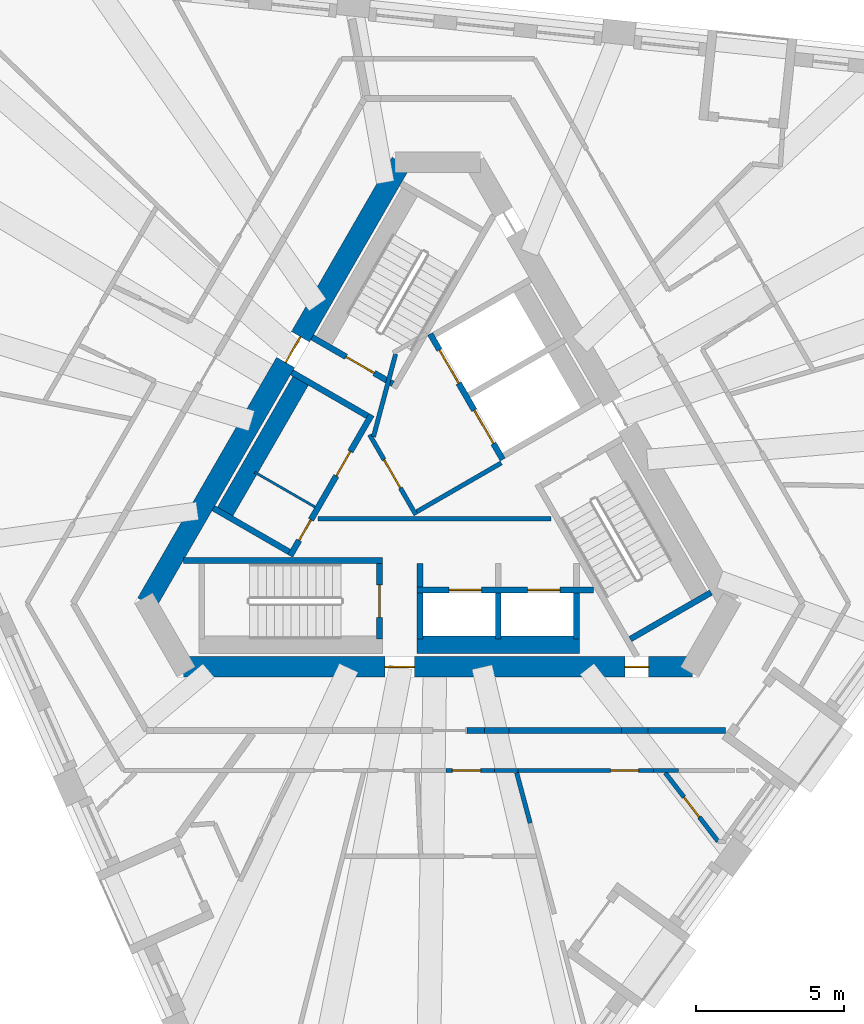
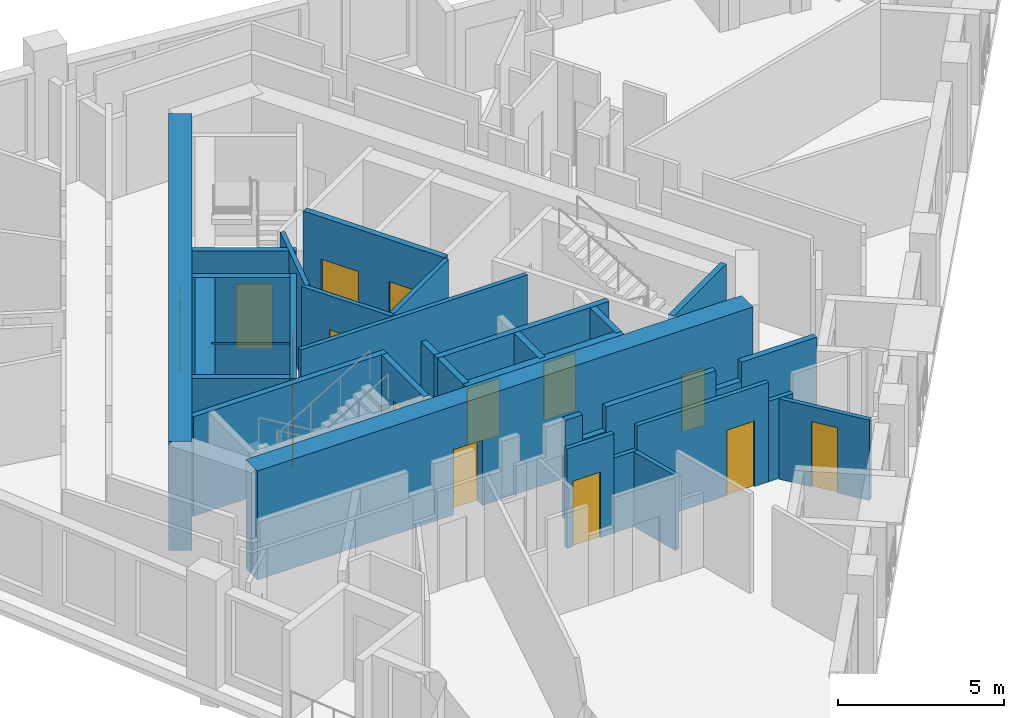
# One storey, part 4 of 11: 33 walls, 15 doors, 15 openings.
"""IFC4 building model written with IfcOpenShell, lengths in metres."""

import ifcopenshell
import ifcopenshell.guid

model = None  # the IFC model being written
_history = None  # IfcOwnerHistory: only IFC2X3 demands one
_inside = {}  # id of a spatial element -> (the spatial element, [elements in it])
_under = {}  # id of a project, library or spatial element -> (it, [spatial elements below it])
_declared = {}  # id of a project -> (the project, [libraries it declares])
_typed = {}  # id of a type object -> (the type object, [elements of that type])
_made_of = {}  # id of a material, layer set ... -> (it, [elements and type objects made of it])


def new_model(schema):
    """Start an empty IFC model of exactly this schema.

    Asked for "IFC4X3", IfcOpenShell would pick the latest addendum, in which some entities
    have other attributes; the version numbers below select the first issue.
    IFC2X3 requires an IfcOwnerHistory on every rooted entity: one is made here for all.
    """
    global model, _history
    if schema == "IFC4X3":
        model = ifcopenshell.file(schema_version=(4, 3, 0, 0))
    else:
        model = ifcopenshell.file(schema=schema)
    _inside.clear()
    _under.clear()
    _declared.clear()
    _typed.clear()
    _made_of.clear()
    _history = None
    if model.schema == "IFC2X3":
        org = make("IfcOrganization", Name="unknown")
        user = make(
            "IfcPersonAndOrganization",
            ThePerson=make("IfcPerson", FamilyName="unknown"),
            TheOrganization=org,
        )
        app = make(
            "IfcApplication",
            ApplicationDeveloper=org,
            Version="unknown",
            ApplicationFullName="unknown",
            ApplicationIdentifier="unknown",
        )
        _history = make(
            "IfcOwnerHistory",
            OwningUser=user,
            OwningApplication=app,
            ChangeAction="ADDED",
            CreationDate=0,
        )
    return model


def make(cls, **values):
    """One entity of the class cls with the attributes given. An attribute that is None is left unset."""
    return model.create_entity(
        cls, **{name: value for name, value in values.items() if value is not None}
    )


def rooted(cls, **values):
    """An entity with a GlobalId (a new one), such as an element, a storey or a relation."""
    return make(cls, GlobalId=ifcopenshell.guid.new(), OwnerHistory=_history, **values)


def si_unit(unit_type, name, prefix=None):
    """IfcSIUnit, for example si_unit("LENGTHUNIT", "METRE", prefix="MILLI")."""
    return make("IfcSIUnit", UnitType=unit_type, Prefix=prefix, Name=name)


def assignment(units):
    """IfcUnitAssignment: the units of a project."""
    return None if units is None else make("IfcUnitAssignment", Units=units)


def point(xyz):
    """IfcCartesianPoint."""
    return None if xyz is None else make("IfcCartesianPoint", Coordinates=xyz)


def direction(xyz):
    """IfcDirection."""
    return None if xyz is None else make("IfcDirection", DirectionRatios=xyz)


def frame(location, z_axis=None, x_axis=None):
    """IfcAxis2Placement3D, a coordinate frame: its origin and axes. An axis left out is left unset."""
    return make(
        "IfcAxis2Placement3D",
        Location=point(location),
        Axis=direction(z_axis),
        RefDirection=direction(x_axis),
    )


def frame_2d(location, x_axis=None):
    """IfcAxis2Placement2D, a coordinate frame in the plane: its origin and x axis."""
    return make(
        "IfcAxis2Placement2D", Location=point(location), RefDirection=direction(x_axis)
    )


def origin():
    """The frame at (0, 0, 0) with its axes left unset."""
    return frame((0.0, 0.0, 0.0))


def place(relative_to, where):
    """IfcLocalPlacement: puts the frame where relative to a parent placement (None: the world)."""
    return make(
        "IfcLocalPlacement", PlacementRelTo=relative_to, RelativePlacement=where
    )


def context(
    kind, dimensions, precision=None, world=None, true_north=None, identifier=None
):
    """IfcGeometricRepresentationContext, for example the 3D "Model" context."""
    return make(
        "IfcGeometricRepresentationContext",
        ContextIdentifier=identifier,
        ContextType=kind,
        CoordinateSpaceDimension=dimensions,
        Precision=precision,
        WorldCoordinateSystem=world,
        TrueNorth=true_north,
    )


def subcontext(parent, identifier, kind, view, scale=None):
    """IfcGeometricRepresentationSubContext, for example "Body" below "Model"."""
    return make(
        "IfcGeometricRepresentationSubContext",
        ContextIdentifier=identifier,
        ContextType=kind,
        ParentContext=parent,
        TargetScale=scale,
        TargetView=view,
    )


def project(units=None, contexts=None):
    """IfcProject with its units and contexts."""
    return rooted(
        "IfcProject",
        Name="project",
        RepresentationContexts=contexts,
        UnitsInContext=assignment(units),
    )


def spatial(cls, under=None, at=None, **own):
    """A site, building, storey or space (cls), placed at a placement, below another one or the project."""
    s = rooted(cls, ObjectPlacement=at, **own)
    if under is not None:
        _under.setdefault(under.id(), (under, []))[1].append(s)
    return s


def profile(cls, at=None, kind="AREA", **sizes):
    """A parametric profile (cls). Its sizes go by their IFC names, for example OverallWidth=200.0."""
    return make(cls, ProfileType=kind, Position=at, **sizes)


def rectangle(**sizes):
    """IfcRectangleProfileDef."""
    return profile("IfcRectangleProfileDef", **sizes)


def extrude(swept, where, along, depth):
    """IfcExtrudedAreaSolid: the profile swept, set in the frame where, extruded along a direction by depth."""
    return make(
        "IfcExtrudedAreaSolid",
        SweptArea=swept,
        Position=where,
        ExtrudedDirection=direction(along),
        Depth=depth,
    )


def shape(context_of_items, identifier, shape_type, items):
    """IfcShapeRepresentation: the items that make up one representation, for example the "Body"."""
    return make(
        "IfcShapeRepresentation",
        ContextOfItems=context_of_items,
        RepresentationIdentifier=identifier,
        RepresentationType=shape_type,
        Items=items,
    )


def material(Name=None, Category=None):
    """IfcMaterial."""
    return make("IfcMaterial", Name=Name, Category=Category)


def layer(
    of_material, thickness, ventilated=None, Name=None, Category=None, Priority=None
):
    """IfcMaterialLayer: one layer of a wall or slab, of a material (None: an air gap)."""
    return make(
        "IfcMaterialLayer",
        Material=of_material,
        LayerThickness=thickness,
        IsVentilated=ventilated,
        Name=Name,
        Category=Category,
        Priority=Priority,
    )


def layer_set(layers, Name=None):
    """IfcMaterialLayerSet."""
    return make("IfcMaterialLayerSet", MaterialLayers=layers, LayerSetName=Name)


def made_of(thing, what):
    """Note that an element or type object is made of a material, layer set ...; save() writes the relation."""
    if what is not None:
        _made_of.setdefault(what.id(), (what, []))[1].append(thing)
    return thing


def type_object(cls, material=None, **own):
    """A type object (cls), such as IfcWallType, which elements share."""
    return made_of(rooted(cls, **own), material)


def element(
    cls,
    number,
    at=None,
    inside=None,
    cuts=None,
    type_object=None,
    material=None,
    context=None,
    identifier="Body",
    shape_type=None,
    held_by="IfcProductDefinitionShape",
    body=None,
    shapes=None,
    **own,
):
    """One element of the class cls, such as IfcWall. Its Tag is "e" and its number.

    at: its placement. inside: the storey or other place that contains it. cuts: it is an
    opening in that element (IfcRelVoidsElement). A single representation is given by context,
    identifier, shape_type and body (its items); several are given by shapes. held_by: the class
    of the entity that holds the representations. save() writes the other relations.
    """
    e = rooted(cls, Tag="e%d" % number, ObjectPlacement=at, **own)
    if body is not None:
        shapes = [shape(context, identifier, shape_type, body)]
    if shapes is not None:
        e.Representation = make(held_by, Representations=shapes)
    if inside is not None:
        _inside.setdefault(inside.id(), (inside, []))[1].append(e)
    if cuts is not None:
        rooted(
            "IfcRelVoidsElement", RelatingBuildingElement=cuts, RelatedOpeningElement=e
        )
    if type_object is not None:
        _typed.setdefault(type_object.id(), (type_object, []))[1].append(e)
    return made_of(e, material)


def fill(opening, filler):
    """IfcRelFillsElement: the door or window that sits in an opening."""
    return rooted(
        "IfcRelFillsElement",
        RelatingOpeningElement=opening,
        RelatedBuildingElement=filler,
    )


def aggregate(whole, parts):
    """IfcRelAggregates: a whole, such as a stair, and the parts it consists of."""
    return rooted("IfcRelAggregates", RelatingObject=whole, RelatedObjects=parts)


def save(model, path):
    """Write the relations noted so far, then the file.

    IfcRelAggregates (storeys below a building ...), IfcRelContainedInSpatialStructure (elements
    in a storey), IfcRelDefinesByType, IfcRelAssociatesMaterial and IfcRelDeclares: one each for
    every whole, place, type object, material and project.
    """
    for whole, parts in _under.values():
        aggregate(whole, parts)
    for where, things in _inside.values():
        rooted(
            "IfcRelContainedInSpatialStructure",
            RelatedElements=things,
            RelatingStructure=where,
        )
    for kind, things in _typed.values():
        rooted("IfcRelDefinesByType", RelatedObjects=things, RelatingType=kind)
    for what, things in _made_of.values():
        rooted("IfcRelAssociatesMaterial", RelatedObjects=things, RelatingMaterial=what)
    for by, libraries in _declared.values():
        rooted("IfcRelDeclares", RelatingContext=by, RelatedDefinitions=libraries)
    model.write(path)


model = new_model("IFC4")

# Units and contexts
model_context = context("Model", 3, precision=1e-05, world=origin(), true_north=direction((0.0, 1.0)))
body_context = subcontext(model_context, "Body", "Model", "MODEL_VIEW")
ifc_project = project(units=[si_unit("LENGTHUNIT", "METRE"), si_unit("AREAUNIT", "SQUARE_METRE"), si_unit("VOLUMEUNIT", "CUBIC_METRE"), si_unit("PLANEANGLEUNIT", "RADIAN"), si_unit("MASSUNIT", "GRAM", prefix="KILO")], contexts=[model_context])

# Site, building, storey
site_placement = place(None, origin())
site = spatial("IfcSite", under=ifc_project, at=site_placement, CompositionType="ELEMENT")
building_placement = place(site_placement, origin())
building = spatial("IfcBuilding", under=site, at=building_placement, Name="Tramontana Tower", CompositionType="ELEMENT")
storey_placement = place(building_placement, frame((0.0, 0.0, 253.199951171875)))
storey = spatial("IfcBuildingStorey", under=building, at=storey_placement, Name="L59", CompositionType="ELEMENT", Elevation=253.199951171875)

# Wall, opening, door
ifc_material_1 = material(Name="Concrete 70 MPa", Category="concrete")
ifc_layer_1 = layer(ifc_material_1, 0.699951171875)
ifc_layer_set_1 = layer_set([ifc_layer_1], Name="Core wall 700 70 MPa")
wall_type_1 = type_object("IfcWallType", Name="Core wall 700 70 MPa", PredefinedType="SHEAR", material=ifc_layer_set_1)
wall_1_placement = place(storey_placement, frame((-1.2412109375, 10.64990234375, 0.0), z_axis=(0.0, 0.0, 1.0), x_axis=(-0.500003331888, -0.866023480109, 0.0)))
wall_1 = element("IfcWall", 1, at=wall_1_placement, inside=storey, type_object=wall_type_1, Name="Core wall C1 L59", PredefinedType="SHEAR", context=body_context, shape_type="SweptSolid", body=[
    extrude(rectangle(XDim=17.205078125, YDim=0.699951171875, at=frame_2d((8.6025390625, 0.0))), origin(), (0.0, 0.0, 1.0), 4.0),
])
opening_1_placement = place(wall_1_placement, frame((6.8076171875, 0.0, 0.0)))
opening_1 = element("IfcOpeningElement", 2, at=opening_1_placement, cuts=wall_1, Name="Opening RG1", PredefinedType="OPENING", context=body_context, shape_type="SweptSolid", body=[
    extrude(rectangle(XDim=1.0, YDim=2.39990234375, at=frame_2d((0.5, 1.199951171875))), frame((0.0, 0.35986328125, 0.0), z_axis=(0.0, -1.0, 0.0), x_axis=(1.0, 0.0, 0.0)), (0.0, 0.0, 1.0), 0.719970703125),
])
ifc_material_2 = material(Name="Painted steel", Category="steel")
door_type_1 = type_object("IfcDoorType", Name="RING DOOR 1000", OperationType="SINGLE_SWING_LEFT", PredefinedType="DOOR", material=ifc_material_2)
door_1_placement = place(opening_1_placement, origin())
door_1 = element("IfcDoor", 3, at=door_1_placement, inside=storey, type_object=door_type_1, Name="Door RG1", OperationType="SINGLE_SWING_RIGHT", OverallHeight=2.39990234375, OverallWidth=1.0, PredefinedType="DOOR", context=body_context, shape_type="SweptSolid", body=[
    extrude(rectangle(XDim=1.0, YDim=2.39990234375, at=frame_2d((0.5, 1.199951171875))), frame((0.0, 0.02490234375, 0.0), z_axis=(0.0, -1.0, 0.0), x_axis=(1.0, 0.0, 0.0)), (0.0, 0.0, 1.0), 0.050048828125),
])
fill(opening_1, door_1)

# Wall, openings, doors
wall_2_placement = place(storey_placement, frame((-8.6025390625, -6.39990234375, 0.0), z_axis=(0.0, 0.0, 1.0), x_axis=(1.0, 0.0, 0.0)))
wall_2 = element("IfcWall", 4, at=wall_2_placement, inside=storey, type_object=wall_type_1, Name="Core wall C3 L59", PredefinedType="SHEAR", context=body_context, shape_type="SweptSolid", body=[
    extrude(rectangle(XDim=17.205078125, YDim=0.699951171875, at=frame_2d((8.6025390625, 0.0))), origin(), (0.0, 0.0, 1.0), 4.0),
])
opening_2_placement = place(wall_2_placement, frame((6.8076171875, 0.0, 0.0)))
opening_2 = element("IfcOpeningElement", 5, at=opening_2_placement, cuts=wall_2, Name="Opening RG2", PredefinedType="OPENING", context=body_context, shape_type="SweptSolid", body=[
    extrude(rectangle(XDim=1.0, YDim=2.39990234375, at=frame_2d((0.5, 1.199951171875))), frame((0.0, 0.35986328125, 0.0), z_axis=(0.0, -1.0, 0.0), x_axis=(1.0, 0.0, 0.0)), (0.0, 0.0, 1.0), 0.719970703125),
])
opening_3_placement = place(wall_2_placement, frame((14.921630859375, 0.0, 0.0)))
opening_3 = element("IfcOpeningElement", 6, at=opening_3_placement, cuts=wall_2, Name="Opening PD2", PredefinedType="OPENING", context=body_context, shape_type="SweptSolid", body=[
    extrude(rectangle(XDim=0.800048828125, YDim=2.10009765625, at=frame_2d((0.39990234375, 1.050048828125))), frame((0.0, 0.35986328125, 0.0), z_axis=(0.0, -1.0, 0.0), x_axis=(1.0, 0.0, 0.0)), (0.0, 0.0, 1.0), 0.719970703125),
])
ifc_material_3 = material(Name="Painted steel", Category="steel")
door_type_2 = type_object("IfcDoorType", Name="CUPBOARD DOOR 800", OperationType="SINGLE_SWING_LEFT", PredefinedType="DOOR", material=ifc_material_3)
door_2_placement = place(opening_3_placement, origin())
door_2 = element("IfcDoor", 7, at=door_2_placement, inside=storey, type_object=door_type_2, Name="Door PD2", OperationType="SINGLE_SWING_LEFT", OverallHeight=2.10009765625, OverallWidth=0.800048828125, PredefinedType="DOOR", context=body_context, shape_type="SweptSolid", body=[
    extrude(rectangle(XDim=0.800048828125, YDim=2.10009765625, at=frame_2d((0.39990234375, 1.050048828125))), frame((0.0, 0.02490234375, 0.0), z_axis=(0.0, -1.0, 0.0), x_axis=(1.0, 0.0, 0.0)), (0.0, 0.0, 1.0), 0.050048828125),
])
fill(opening_3, door_2)
door_3_placement = place(opening_2_placement, origin())
door_3 = element("IfcDoor", 8, at=door_3_placement, inside=storey, type_object=door_type_1, Name="Door RG2", OperationType="SINGLE_SWING_LEFT", OverallHeight=2.39990234375, OverallWidth=1.0, PredefinedType="DOOR", context=body_context, shape_type="SweptSolid", body=[
    extrude(rectangle(XDim=1.0, YDim=2.39990234375, at=frame_2d((0.5, 1.199951171875))), frame((0.0, 0.02490234375, 0.0), z_axis=(0.0, -1.0, 0.0), x_axis=(1.0, 0.0, 0.0)), (0.0, 0.0, 1.0), 0.050048828125),
])
fill(opening_2, door_3)

# Walls
ifc_material_4 = material(Name="Blockwork", Category="masonry")
ifc_layer_2 = layer(ifc_material_4, 0.199951171875)
ifc_layer_set_2 = layer_set([ifc_layer_2], Name="ENTRY WALL 200")
wall_type_2 = type_object("IfcWallType", Name="ENTRY WALL 200", PredefinedType="SOLIDWALL", material=ifc_layer_set_2)
wall_3_placement = place(storey_placement, frame((9.724609375, -8.550048828125, 0.0), z_axis=(0.0, 0.0, 1.0), x_axis=(-1.0, 0.0, 0.0)))
element("IfcWall", 9, at=wall_3_placement, inside=storey, type_object=wall_type_2, Name="Wall v61-ew1-0", PredefinedType="SOLIDWALL", context=body_context, shape_type="SweptSolid", body=[
    extrude(rectangle(XDim=2.62548828125, YDim=0.199951171875, at=frame_2d((1.312744140625, 0.0))), origin(), (0.0, 0.0, 1.0), 3.650146484375),
])
wall_4_placement = place(storey_placement, frame((7.09912109375, -8.550048828125, 0.0), z_axis=(0.0, 0.0, 1.0), x_axis=(-1.0, 0.0, 0.0)))
element("IfcWall", 10, at=wall_4_placement, inside=storey, type_object=wall_type_2, Name="Wall v61-ew1-1", PredefinedType="SOLIDWALL", context=body_context, shape_type="SweptSolid", body=[
    extrude(rectangle(XDim=0.88720703125, YDim=0.199951171875, at=frame_2d((0.443603515625, 0.0))), origin(), (0.0, 0.0, 1.0), 2.949951171875),
])
wall_5_placement = place(storey_placement, frame((6.2119140625, -8.550048828125, 0.0), z_axis=(0.0, 0.0, 1.0), x_axis=(-1.0, 0.0, 0.0)))
element("IfcWall", 11, at=wall_5_placement, inside=storey, type_object=wall_type_2, Name="Wall v61-ew1-2", PredefinedType="SOLIDWALL", context=body_context, shape_type="SweptSolid", body=[
    extrude(rectangle(XDim=3.810546875, YDim=0.199951171875, at=frame_2d((1.9052734375, 0.0))), origin(), (0.0, 0.0, 1.0), 3.650146484375),
])
wall_6_placement = place(storey_placement, frame((2.4013671875, -8.550048828125, 0.0), z_axis=(0.0, 0.0, 1.0), x_axis=(-1.0, 0.0, 0.0)))
element("IfcWall", 12, at=wall_6_placement, inside=storey, type_object=wall_type_2, Name="Wall v61-ew1-3", PredefinedType="SOLIDWALL", context=body_context, shape_type="SweptSolid", body=[
    extrude(rectangle(XDim=0.8212890625, YDim=0.199951171875, at=frame_2d((0.41064453125, 0.0))), origin(), (0.0, 0.0, 1.0), 2.75),
])
wall_7_placement = place(storey_placement, frame((1.580078125, -8.550048828125, 0.0), z_axis=(0.0, 0.0, 1.0), x_axis=(-1.0, 0.0, 0.0)))
element("IfcWall", 13, at=wall_7_placement, inside=storey, type_object=wall_type_2, Name="Wall v61-ew1-4", PredefinedType="SOLIDWALL", context=body_context, shape_type="SweptSolid", body=[
    extrude(rectangle(XDim=0.599609375, YDim=0.199951171875, at=frame_2d((0.2998046875, 0.0))), origin(), (0.0, 0.0, 1.0), 3.650146484375),
])

# Wall, opening, door
ifc_material_5 = material(Name="Gypsum board partition")
ifc_layer_3 = layer(ifc_material_5, 0.14990234375)
ifc_layer_set_3 = layer_set([ifc_layer_3], Name="PARTITION 150")
wall_type_3 = type_object("IfcWallType", Name="PARTITION 150", PredefinedType="PARTITIONING", material=ifc_layer_set_3)
wall_8_placement = place(storey_placement, frame((-0.744140625, -1.260986328125, 0.0), z_axis=(0.0, 0.0, 1.0), x_axis=(-0.500004234368, 0.866022959057, 0.0)))
wall_8 = element("IfcWall", 14, at=wall_8_placement, inside=storey, type_object=wall_type_3, Name="Wall ff-front", PredefinedType="PARTITIONING", context=body_context, shape_type="SweptSolid", body=[
    extrude(rectangle(XDim=3.125, YDim=0.14990234375, at=frame_2d((1.5625, 0.0))), origin(), (0.0, 0.0, 1.0), 3.650146484375),
])
opening_4_placement = place(wall_8_placement, frame((1.050048828125, 0.0, 0.0)))
opening_4 = element("IfcOpeningElement", 15, at=opening_4_placement, cuts=wall_8, Name="Opening FD1", PredefinedType="OPENING", context=body_context, shape_type="SweptSolid", body=[
    extrude(rectangle(XDim=1.10009765625, YDim=2.39990234375, at=frame_2d((0.550048828125, 1.199951171875))), frame((0.0, 0.0849609375, 0.0), z_axis=(0.0, -1.0, 0.0), x_axis=(1.0, 0.0, 0.0)), (0.0, 0.0, 1.0), 0.169921875),
])
ifc_material_6 = material(Name="Painted timber", Category="wood")
door_type_3 = type_object("IfcDoorType", Name="DOOR ENTRY 1100", OperationType="SINGLE_SWING_LEFT", PredefinedType="DOOR", material=ifc_material_6)
door_4_placement = place(opening_4_placement, origin())
door_4 = element("IfcDoor", 16, at=door_4_placement, inside=storey, type_object=door_type_3, Name="Door FD1", OperationType="SINGLE_SWING_LEFT", OverallHeight=2.39990234375, OverallWidth=1.10009765625, PredefinedType="DOOR", context=body_context, shape_type="SweptSolid", body=[
    extrude(rectangle(XDim=1.10009765625, YDim=2.39990234375, at=frame_2d((0.550048828125, 1.199951171875))), frame((0.0, 0.02490234375, 0.0), z_axis=(0.0, -1.0, 0.0), x_axis=(1.0, 0.0, 0.0)), (0.0, 0.0, 1.0), 0.050048828125),
])
fill(opening_4, door_4)

# Walls
wall_9_placement = place(storey_placement, frame((-0.716796875, -1.15869140625, 0.0), z_axis=(0.0, 0.0, 1.0), x_axis=(0.866008176907, 0.50002983664, 0.0)))
element("IfcWall", 17, at=wall_9_placement, inside=storey, type_object=wall_type_3, Name="Wall ff-end0", PredefinedType="PARTITIONING", context=body_context, shape_type="SweptSolid", body=[
    extrude(rectangle(XDim=3.300048828125, YDim=0.14990234375, at=frame_2d((1.64990234375, 0.0))), origin(), (0.0, 0.0, 1.0), 3.650146484375),
])
wall_10_placement = place(storey_placement, frame((-2.177978515625, 1.372314453125, 0.0), z_axis=(0.0, 0.0, 1.0), x_axis=(0.258808958833, 0.96592852884, 0.0)))
element("IfcWall", 18, at=wall_10_placement, inside=storey, type_object=wall_type_3, Name="Wall ff-diag", PredefinedType="PARTITIONING", context=body_context, shape_type="SweptSolid", body=[
    extrude(rectangle(XDim=2.902587890625, YDim=0.14990234375, at=frame_2d((1.451171875, 0.0))), origin(), (0.0, 0.0, 1.0), 3.650146484375),
])
wall_11_placement = place(storey_placement, frame((-4.053466796875, -1.39990234375, 0.0), z_axis=(0.0, 0.0, 1.0), x_axis=(1.0, 0.0, 0.0)))
element("IfcWall", 19, at=wall_11_placement, inside=storey, type_object=wall_type_3, Name="Wall hub-cut1", PredefinedType="PARTITIONING", context=body_context, shape_type="SweptSolid", body=[
    extrude(rectangle(XDim=7.8759765625, YDim=0.14990234375, at=frame_2d((3.93798828125, 0.0))), origin(), (0.0, 0.0, 1.0), 3.650146484375),
])
wall_12_placement = place(storey_placement, frame((2.662353515625, -9.97509765625, 0.0), z_axis=(0.0, 0.0, 1.0), x_axis=(0.25785226736, -0.966184355192, 0.0)))
element("IfcWall", 20, at=wall_12_placement, inside=storey, type_object=wall_type_3, Name="Wall v61-pw18-0", PredefinedType="PARTITIONING", context=body_context, shape_type="SweptSolid", body=[
    extrude(rectangle(XDim=1.762939453125, YDim=0.14990234375, at=frame_2d((0.88134765625, 0.0))), origin(), (0.0, 0.0, 1.0), 2.75),
])

# Wall, opening, door
wall_13_placement = place(storey_placement, frame((7.68017578125, -9.97509765625, 0.0), z_axis=(0.0, 0.0, 1.0), x_axis=(0.610056512493, -0.792357906229, 0.0)))
wall_13 = element("IfcWall", 21, at=wall_13_placement, inside=storey, type_object=wall_type_3, Name="Wall v61-pw26-0", PredefinedType="PARTITIONING", context=body_context, shape_type="SweptSolid", body=[
    extrude(rectangle(XDim=2.934326171875, YDim=0.14990234375, at=frame_2d((1.46728515625, 0.0))), origin(), (0.0, 0.0, 1.0), 2.949951171875),
])
opening_5_placement = place(wall_13_placement, frame((1.042236328125, 0.0, 0.0)))
opening_5 = element("IfcOpeningElement", 22, at=opening_5_placement, cuts=wall_13, Name="Opening B6B-13", PredefinedType="OPENING", context=body_context, shape_type="SweptSolid", body=[
    extrude(rectangle(XDim=0.85009765625, YDim=2.39990234375, at=frame_2d((0.425048828125, 1.199951171875))), frame((0.0, 0.0849609375, 0.0), z_axis=(0.0, -1.0, 0.0), x_axis=(1.0, 0.0, 0.0)), (0.0, 0.0, 1.0), 0.169921875),
])
ifc_material_7 = material(Name="Painted timber", Category="wood")
door_type_4 = type_object("IfcDoorType", Name="DOOR BATH 850", OperationType="SINGLE_SWING_LEFT", PredefinedType="DOOR", material=ifc_material_7)
door_5_placement = place(opening_5_placement, origin())
door_5 = element("IfcDoor", 23, at=door_5_placement, inside=storey, type_object=door_type_4, Name="Door B6B-13", OperationType="SINGLE_SWING_LEFT", OverallHeight=2.39990234375, OverallWidth=0.85009765625, PredefinedType="DOOR", context=body_context, shape_type="SweptSolid", body=[
    extrude(rectangle(XDim=0.85009765625, YDim=2.39990234375, at=frame_2d((0.425048828125, 1.199951171875))), frame((0.0, 0.02490234375, 0.0), z_axis=(0.0, -1.0, 0.0), x_axis=(1.0, 0.0, 0.0)), (0.0, 0.0, 1.0), 0.050048828125),
])
fill(opening_5, door_5)

# Wall
wall_14_placement = place(storey_placement, frame((8.134033203125, -9.89990234375, 0.0), z_axis=(0.0, 0.0, 1.0), x_axis=(-1.0, 0.0, 0.0)))
element("IfcWall", 24, at=wall_14_placement, inside=storey, type_object=wall_type_3, Name="Wall v61-pw28-1", PredefinedType="PARTITIONING", context=body_context, shape_type="SweptSolid", body=[
    extrude(rectangle(XDim=0.85546875, YDim=0.14990234375, at=frame_2d((0.427734375, 0.0))), origin(), (0.0, 0.0, 1.0), 2.949951171875),
])

# Wall, opening, door
wall_15_placement = place(storey_placement, frame((7.278564453125, -9.89990234375, 0.0), z_axis=(0.0, 0.0, 1.0), x_axis=(-1.0, 0.0, 0.0)))
wall_15 = element("IfcWall", 25, at=wall_15_placement, inside=storey, type_object=wall_type_3, Name="Wall v61-pw28-2", PredefinedType="PARTITIONING", context=body_context, shape_type="SweptSolid", body=[
    extrude(rectangle(XDim=4.57568359375, YDim=0.14990234375, at=frame_2d((2.287841796875, 0.0))), origin(), (0.0, 0.0, 1.0), 3.650146484375),
])
opening_6_placement = place(wall_15_placement, frame((0.492919921875, 0.0, 0.0)))
opening_6 = element("IfcOpeningElement", 26, at=opening_6_placement, cuts=wall_15, Name="Opening B6B-11", PredefinedType="OPENING", context=body_context, shape_type="SweptSolid", body=[
    extrude(rectangle(XDim=0.949951171875, YDim=2.39990234375, at=frame_2d((0.47509765625, 1.199951171875))), frame((0.0, 0.0849609375, 0.0), z_axis=(0.0, -1.0, 0.0), x_axis=(1.0, 0.0, 0.0)), (0.0, 0.0, 1.0), 0.169921875),
])
ifc_material_8 = material(Name="Painted timber", Category="wood")
door_type_5 = type_object("IfcDoorType", Name="DOOR ROOM 950", OperationType="SINGLE_SWING_LEFT", PredefinedType="DOOR", material=ifc_material_8)
door_6_placement = place(opening_6_placement, origin())
door_6 = element("IfcDoor", 27, at=door_6_placement, inside=storey, type_object=door_type_5, Name="Door B6B-11", OperationType="SINGLE_SWING_LEFT", OverallHeight=2.39990234375, OverallWidth=0.949951171875, PredefinedType="DOOR", context=body_context, shape_type="SweptSolid", body=[
    extrude(rectangle(XDim=0.949951171875, YDim=2.39990234375, at=frame_2d((0.47509765625, 1.199951171875))), frame((0.0, 0.02490234375, 0.0), z_axis=(0.0, -1.0, 0.0), x_axis=(1.0, 0.0, 0.0)), (0.0, 0.0, 1.0), 0.050048828125),
])
fill(opening_6, door_6)

# Wall
wall_16_placement = place(storey_placement, frame((2.702880859375, -9.89990234375, 0.0), z_axis=(0.0, 0.0, 1.0), x_axis=(-1.0, 0.0, 0.0)))
element("IfcWall", 28, at=wall_16_placement, inside=storey, type_object=wall_type_3, Name="Wall v61-pw28-3", PredefinedType="PARTITIONING", context=body_context, shape_type="SweptSolid", body=[
    extrude(rectangle(XDim=0.795654296875, YDim=0.14990234375, at=frame_2d((0.39794921875, 0.0))), origin(), (0.0, 0.0, 1.0), 2.75),
])

# Wall, opening, door
wall_17_placement = place(storey_placement, frame((1.9072265625, -9.89990234375, 0.0), z_axis=(0.0, 0.0, 1.0), x_axis=(-1.0, 0.0, 0.0)))
wall_17 = element("IfcWall", 29, at=wall_17_placement, inside=storey, type_object=wall_type_3, Name="Wall v61-pw28-4", PredefinedType="PARTITIONING", context=body_context, shape_type="SweptSolid", body=[
    extrude(rectangle(XDim=1.626220703125, YDim=0.14990234375, at=frame_2d((0.81298828125, 0.0))), origin(), (0.0, 0.0, 1.0), 3.650146484375),
])
opening_7_placement = place(wall_17_placement, frame((0.46484375, 0.0, 0.0)))
opening_7 = element("IfcOpeningElement", 30, at=opening_7_placement, cuts=wall_17, Name="Opening B6B-08", PredefinedType="OPENING", context=body_context, shape_type="SweptSolid", body=[
    extrude(rectangle(XDim=0.949951171875, YDim=2.39990234375, at=frame_2d((0.47509765625, 1.199951171875))), frame((0.0, 0.0849609375, 0.0), z_axis=(0.0, -1.0, 0.0), x_axis=(1.0, 0.0, 0.0)), (0.0, 0.0, 1.0), 0.169921875),
])
door_7_placement = place(opening_7_placement, origin())
door_7 = element("IfcDoor", 31, at=door_7_placement, inside=storey, type_object=door_type_5, Name="Door B6B-08", OperationType="SINGLE_SWING_RIGHT", OverallHeight=2.39990234375, OverallWidth=0.949951171875, PredefinedType="DOOR", context=body_context, shape_type="SweptSolid", body=[
    extrude(rectangle(XDim=0.949951171875, YDim=2.39990234375, at=frame_2d((0.47509765625, 1.199951171875))), frame((0.0, 0.02490234375, 0.0), z_axis=(0.0, -1.0, 0.0), x_axis=(1.0, 0.0, 0.0)), (0.0, 0.0, 1.0), 0.050048828125),
])
fill(opening_7, door_7)

# Walls
ifc_material_9 = material(Name="Gypsum board partition")
ifc_layer_4 = layer(ifc_material_9, 0.080078125)
ifc_layer_set_4 = layer_set([ifc_layer_4], Name="PARTITION 80")
wall_type_4 = type_object("IfcWallType", Name="PARTITION 80", PredefinedType="PARTITIONING", material=ifc_layer_set_4)
wall_18_placement = place(storey_placement, frame((-4.15478515625, -0.99609375, 0.0), z_axis=(0.0, 0.0, 1.0), x_axis=(-0.866016039709, 0.500016218704, 0.0)))
element("IfcWall", 32, at=wall_18_placement, inside=storey, type_object=wall_type_4, Name="Wall row0-split", PredefinedType="PARTITIONING", context=body_context, shape_type="SweptSolid", body=[
    extrude(rectangle(XDim=2.35009765625, YDim=0.080078125, at=frame_2d((1.175048828125, 0.0))), origin(), (0.0, 0.0, 1.0), 3.650146484375),
])
ifc_material_10 = material(Name="Concrete 70 MPa", Category="concrete")
ifc_layer_5 = layer(ifc_material_10, 0.60009765625)
ifc_layer_set_5 = layer_set([ifc_layer_5], Name="Concrete 70 MPa, 600 mm")
wall_type_5 = type_object("IfcWallType", Name="RC SHAFT BACK WALL 600", PredefinedType="SOLIDWALL", material=ifc_layer_set_5)
for number, where, z_axis, x_axis, name in (
    (33, (-4.5380859375, 3.43994140625, 0.0), (0.0, 0.0, 1.0), (-0.499996545922, -0.866027397988, 0.0), "Wall row0-back"),
    (34, (-0.7099609375, -5.64990234375, 0.0), (0.0, 0.0, 1.0), (1.0, 0.0, 0.0), "Wall row1-back"),
):
    element("IfcWall", number, at=place(storey_placement, frame(where, z_axis=z_axis, x_axis=x_axis)), inside=storey, type_object=wall_type_5, Name=name, PredefinedType="SOLIDWALL", context=body_context, shape_type="SweptSolid", body=[
        extrude(rectangle(XDim=5.5, YDim=0.60009765625, at=frame_2d((2.75, 0.0))), origin(), (0.0, 0.0, 1.0), 3.650146484375),
    ])

# Wall, opening, door
ifc_material_11 = material(Name="Concrete 70 MPa", Category="concrete")
ifc_layer_6 = layer(ifc_material_11, 0.199951171875)
ifc_layer_set_6 = layer_set([ifc_layer_6], Name="Concrete 70 MPa, 200 mm")
wall_type_6 = type_object("IfcWallType", Name="RC STAIR AND SHAFT WALL 200", PredefinedType="SOLIDWALL", material=ifc_layer_set_6)
wall_19_placement = place(storey_placement, frame((-1.521484375, 3.164794921875, 0.0), z_axis=(0.0, 0.0, 1.0), x_axis=(-0.866035871367, 0.499981869177, 0.0)))
wall_19 = element("IfcWall", 35, at=wall_19_placement, inside=storey, type_object=wall_type_6, Name="Wall st1-near", PredefinedType="SOLIDWALL", context=body_context, shape_type="SweptSolid", body=[
    extrude(rectangle(XDim=3.14990234375, YDim=0.199951171875, at=frame_2d((1.574951171875, 0.0))), origin(), (0.0, 0.0, 1.0), 3.650146484375),
])
opening_8_placement = place(wall_19_placement, frame((0.72509765625, 0.0, 0.0)))
opening_8 = element("IfcOpeningElement", 36, at=opening_8_placement, cuts=wall_19, Name="Opening SD1", PredefinedType="OPENING", context=body_context, shape_type="SweptSolid", body=[
    extrude(rectangle(XDim=1.10009765625, YDim=2.39990234375, at=frame_2d((0.550048828125, 1.199951171875))), frame((0.0, 0.10986328125, 0.0), z_axis=(0.0, -1.0, 0.0), x_axis=(1.0, 0.0, 0.0)), (0.0, 0.0, 1.0), 0.219970703125),
])
ifc_material_12 = material(Name="Painted steel", Category="steel")
door_type_6 = type_object("IfcDoorType", Name="STAIR DOOR 1100", OperationType="SINGLE_SWING_LEFT", PredefinedType="DOOR", material=ifc_material_12)
door_8_placement = place(opening_8_placement, origin())
door_8 = element("IfcDoor", 37, at=door_8_placement, inside=storey, type_object=door_type_6, Name="Door SD1", OperationType="SINGLE_SWING_RIGHT", OverallHeight=2.39990234375, OverallWidth=1.10009765625, PredefinedType="DOOR", context=body_context, shape_type="SweptSolid", body=[
    extrude(rectangle(XDim=1.10009765625, YDim=2.39990234375, at=frame_2d((0.550048828125, 1.199951171875))), frame((0.0, 0.02490234375, 0.0), z_axis=(0.0, -1.0, 0.0), x_axis=(1.0, 0.0, 0.0)), (0.0, 0.0, 1.0), 0.050048828125),
])
fill(opening_8, door_8)

# Wall
wall_20_placement = place(storey_placement, frame((-8.6025390625, -2.800048828125, 0.0), z_axis=(0.0, 0.0, 1.0), x_axis=(1.0, 0.0, 0.0)))
element("IfcWall", 38, at=wall_20_placement, inside=storey, type_object=wall_type_6, Name="Wall st2-front", PredefinedType="SOLIDWALL", context=body_context, shape_type="SweptSolid", body=[
    extrude(rectangle(XDim=6.72265625, YDim=0.199951171875, at=frame_2d((3.361328125, 0.0))), origin(), (0.0, 0.0, 1.0), 3.650146484375),
])

# Wall, opening, door
wall_21_placement = place(storey_placement, frame((-1.97998046875, -2.89990234375, 0.0), z_axis=(0.0, 0.0, 1.0), x_axis=(0.0, -1.0, 0.0)))
wall_21 = element("IfcWall", 39, at=wall_21_placement, inside=storey, type_object=wall_type_6, Name="Wall st2-near", PredefinedType="SOLIDWALL", context=body_context, shape_type="SweptSolid", body=[
    extrude(rectangle(XDim=2.550048828125, YDim=0.199951171875, at=frame_2d((1.27490234375, 0.0))), origin(), (0.0, 0.0, 1.0), 3.650146484375),
])
opening_9_placement = place(wall_21_placement, frame((0.72509765625, 0.0, 0.0)))
opening_9 = element("IfcOpeningElement", 40, at=opening_9_placement, cuts=wall_21, Name="Opening SD2", PredefinedType="OPENING", context=body_context, shape_type="SweptSolid", body=[
    extrude(rectangle(XDim=1.10009765625, YDim=2.39990234375, at=frame_2d((0.550048828125, 1.199951171875))), frame((0.0, 0.10986328125, 0.0), z_axis=(0.0, -1.0, 0.0), x_axis=(1.0, 0.0, 0.0)), (0.0, 0.0, 1.0), 0.219970703125),
])
door_9_placement = place(opening_9_placement, origin())
door_9 = element("IfcDoor", 41, at=door_9_placement, inside=storey, type_object=door_type_6, Name="Door SD2", OperationType="SINGLE_SWING_LEFT", OverallHeight=2.39990234375, OverallWidth=1.10009765625, PredefinedType="DOOR", context=body_context, shape_type="SweptSolid", body=[
    extrude(rectangle(XDim=1.10009765625, YDim=2.39990234375, at=frame_2d((0.550048828125, 1.199951171875))), frame((0.0, 0.02490234375, 0.0), z_axis=(0.0, -1.0, 0.0), x_axis=(1.0, 0.0, 0.0)), (0.0, 0.0, 1.0), 0.050048828125),
])
fill(opening_9, door_9)

# Wall
wall_22_placement = place(storey_placement, frame((6.50146484375, -5.4609375, 0.0), z_axis=(0.0, 0.0, 1.0), x_axis=(0.866035871367, 0.499981869177, 0.0)))
element("IfcWall", 42, at=wall_22_placement, inside=storey, type_object=wall_type_6, Name="Wall st3-far", PredefinedType="SOLIDWALL", context=body_context, shape_type="SweptSolid", body=[
    extrude(rectangle(XDim=3.14990234375, YDim=0.199951171875, at=frame_2d((1.574951171875, 0.0))), origin(), (0.0, 0.0, 1.0), 3.650146484375),
])

# Wall, openings, doors
wall_23_placement = place(storey_placement, frame((-4.9931640625, -2.648193359375, 0.0), z_axis=(0.0, 0.0, 1.0), x_axis=(0.499996545922, 0.866027397988, 0.0)))
wall_23 = element("IfcWall", 43, at=wall_23_placement, inside=storey, type_object=wall_type_6, Name="Wall row0-front", PredefinedType="SOLIDWALL", context=body_context, shape_type="SweptSolid", body=[
    extrude(rectangle(XDim=5.5, YDim=0.199951171875, at=frame_2d((2.75, 0.0))), origin(), (0.0, 0.0, 1.0), 3.650146484375),
])
opening_10_placement = place(wall_23_placement, frame((3.1201171875, 0.0, 0.0)))
opening_10 = element("IfcOpeningElement", 44, at=opening_10_placement, cuts=wall_23, Name="Opening RD-0A", PredefinedType="OPENING", context=body_context, shape_type="SweptSolid", body=[
    extrude(rectangle(XDim=0.949951171875, YDim=2.39990234375, at=frame_2d((0.47509765625, 1.199951171875))), frame((0.0, 0.10986328125, 0.0), z_axis=(0.0, -1.0, 0.0), x_axis=(1.0, 0.0, 0.0)), (0.0, 0.0, 1.0), 0.219970703125),
])
opening_11_placement = place(wall_23_placement, frame((0.60498046875, 0.0, 0.0)))
opening_11 = element("IfcOpeningElement", 45, at=opening_11_placement, cuts=wall_23, Name="Opening RD-0B", PredefinedType="OPENING", context=body_context, shape_type="SweptSolid", body=[
    extrude(rectangle(XDim=0.800048828125, YDim=2.10009765625, at=frame_2d((0.39990234375, 1.050048828125))), frame((0.0, 0.10986328125, 0.0), z_axis=(0.0, -1.0, 0.0), x_axis=(1.0, 0.0, 0.0)), (0.0, 0.0, 1.0), 0.219970703125),
])
door_10_placement = place(opening_11_placement, origin())
door_10 = element("IfcDoor", 46, at=door_10_placement, inside=storey, type_object=door_type_2, Name="Door RD-0B", OperationType="SINGLE_SWING_RIGHT", OverallHeight=2.10009765625, OverallWidth=0.800048828125, PredefinedType="DOOR", context=body_context, shape_type="SweptSolid", body=[
    extrude(rectangle(XDim=0.800048828125, YDim=2.10009765625, at=frame_2d((0.39990234375, 1.050048828125))), frame((0.0, 0.02490234375, 0.0), z_axis=(0.0, -1.0, 0.0), x_axis=(1.0, 0.0, 0.0)), (0.0, 0.0, 1.0), 0.050048828125),
])
fill(opening_11, door_10)
door_11_placement = place(opening_10_placement, origin())
door_11 = element("IfcDoor", 47, at=door_11_placement, inside=storey, type_object=door_type_5, Name="Door RD-0A", OperationType="SINGLE_SWING_LEFT", OverallHeight=2.39990234375, OverallWidth=0.949951171875, PredefinedType="DOOR", context=body_context, shape_type="SweptSolid", body=[
    extrude(rectangle(XDim=0.949951171875, YDim=2.39990234375, at=frame_2d((0.47509765625, 1.199951171875))), frame((0.0, 0.02490234375, 0.0), z_axis=(0.0, -1.0, 0.0), x_axis=(1.0, 0.0, 0.0)), (0.0, 0.0, 1.0), 0.050048828125),
])
fill(opening_10, door_11)

# Walls
for number, where, z_axis, x_axis, name in (
    (48, (-2.379638671875, 2.078369140625, 0.0), (0.0, 0.0, 1.0), (-0.866060182126, 0.499939757307, 0.0), "Wall row0-side0"),
    (49, (-5.02978515625, -2.51171875, 0.0), (0.0, 0.0, 1.0), (-0.866003658127, 0.500037662692, 0.0), "Wall row0-side2"),
):
    element("IfcWall", number, at=place(storey_placement, frame(where, z_axis=z_axis, x_axis=x_axis)), inside=storey, type_object=wall_type_6, Name=name, PredefinedType="SOLIDWALL", context=body_context, shape_type="SweptSolid", body=[
        extrude(rectangle(XDim=2.949951171875, YDim=0.199951171875, at=frame_2d((1.47509765625, 0.0))), origin(), (0.0, 0.0, 1.0), 3.650146484375),
    ])

# Wall, openings, doors
wall_24_placement = place(storey_placement, frame((-0.7099609375, -3.800048828125, 0.0), z_axis=(0.0, 0.0, 1.0), x_axis=(1.0, 0.0, 0.0)))
wall_24 = element("IfcWall", 50, at=wall_24_placement, inside=storey, type_object=wall_type_6, Name="Wall row1-front", PredefinedType="SOLIDWALL", context=body_context, shape_type="SweptSolid", body=[
    extrude(rectangle(XDim=5.96142578125, YDim=0.199951171875, at=frame_2d((2.980712890625, 0.0))), origin(), (0.0, 0.0, 1.0), 3.650146484375),
])
opening_12_placement = place(wall_24_placement, frame((1.090087890625, 0.0, 0.0)))
opening_12 = element("IfcOpeningElement", 51, at=opening_12_placement, cuts=wall_24, Name="Opening LD-S1", PredefinedType="OPENING", context=body_context, shape_type="SweptSolid", body=[
    extrude(rectangle(XDim=1.10009765625, YDim=2.10009765625, at=frame_2d((0.550048828125, 1.050048828125))), frame((0.0, 0.10986328125, 0.0), z_axis=(0.0, -1.0, 0.0), x_axis=(1.0, 0.0, 0.0)), (0.0, 0.0, 1.0), 0.219970703125),
])
opening_13_placement = place(wall_24_placement, frame((3.739990234375, 0.0, 0.0)))
opening_13 = element("IfcOpeningElement", 52, at=opening_13_placement, cuts=wall_24, Name="Opening LD-S2", PredefinedType="OPENING", context=body_context, shape_type="SweptSolid", body=[
    extrude(rectangle(XDim=1.10009765625, YDim=2.10009765625, at=frame_2d((0.550048828125, 1.050048828125))), frame((0.0, 0.10986328125, 0.0), z_axis=(0.0, -1.0, 0.0), x_axis=(1.0, 0.0, 0.0)), (0.0, 0.0, 1.0), 0.219970703125),
])
ifc_material_13 = material(Name="Brushed steel", Category="steel")
door_type_7 = type_object("IfcDoorType", Name="LANDING DOOR 1100", OperationType="SINGLE_SWING_LEFT", PredefinedType="DOOR", material=ifc_material_13)
door_12_placement = place(opening_12_placement, origin())
door_12 = element("IfcDoor", 53, at=door_12_placement, inside=storey, type_object=door_type_7, Name="Door LD-S1", OperationType="SLIDING_TO_LEFT", OverallHeight=2.10009765625, OverallWidth=1.10009765625, PredefinedType="DOOR", context=body_context, shape_type="SweptSolid", body=[
    extrude(rectangle(XDim=1.10009765625, YDim=2.10009765625, at=frame_2d((0.550048828125, 1.050048828125))), frame((0.0, 0.02490234375, 0.0), z_axis=(0.0, -1.0, 0.0), x_axis=(1.0, 0.0, 0.0)), (0.0, 0.0, 1.0), 0.050048828125),
])
fill(opening_12, door_12)
door_13_placement = place(opening_13_placement, origin())
door_13 = element("IfcDoor", 54, at=door_13_placement, inside=storey, type_object=door_type_7, Name="Door LD-S2", OperationType="SLIDING_TO_RIGHT", OverallHeight=2.10009765625, OverallWidth=1.10009765625, PredefinedType="DOOR", context=body_context, shape_type="SweptSolid", body=[
    extrude(rectangle(XDim=1.10009765625, YDim=2.10009765625, at=frame_2d((0.550048828125, 1.050048828125))), frame((0.0, 0.02490234375, 0.0), z_axis=(0.0, -1.0, 0.0), x_axis=(1.0, 0.0, 0.0)), (0.0, 0.0, 1.0), 0.050048828125),
])
fill(opening_13, door_13)

# Walls
wall_25_placement = place(storey_placement, frame((-0.610107421875, -3.89990234375, 0.0), z_axis=(0.0, 0.0, 1.0), x_axis=(0.0, -1.0, 0.0)))
element("IfcWall", 55, at=wall_25_placement, inside=storey, type_object=wall_type_6, Name="Wall row1-side0", PredefinedType="SOLIDWALL", context=body_context, shape_type="SweptSolid", body=[
    extrude(rectangle(XDim=1.550048828125, YDim=0.199951171875, at=frame_2d((0.77490234375, 0.0))), origin(), (0.0, 0.0, 1.0), 3.650146484375),
])
wall_26_placement = place(storey_placement, frame((-0.610107421875, -2.89990234375, 0.0), z_axis=(0.0, 0.0, 1.0), x_axis=(0.0, -1.0, 0.0)))
element("IfcWall", 56, at=wall_26_placement, inside=storey, type_object=wall_type_6, Name="Wall row1-side0-ret", PredefinedType="SOLIDWALL", context=body_context, shape_type="SweptSolid", body=[
    extrude(rectangle(XDim=0.800048828125, YDim=0.199951171875, at=frame_2d((0.39990234375, 0.0))), origin(), (0.0, 0.0, 1.0), 3.650146484375),
])
for number, where, z_axis, x_axis, name in (
    (57, (2.0400390625, -3.89990234375, 0.0), (0.0, 0.0, 1.0), (0.0, -1.0, 0.0), "Wall row1-side1"),
    (58, (4.68994140625, -3.89990234375, 0.0), (0.0, 0.0, 1.0), (0.0, -1.0, 0.0), "Wall row1-side2"),
):
    element("IfcWall", number, at=place(storey_placement, frame(where, z_axis=z_axis, x_axis=x_axis)), inside=storey, type_object=wall_type_6, Name=name, PredefinedType="SOLIDWALL", context=body_context, shape_type="SweptSolid", body=[
        extrude(rectangle(XDim=1.550048828125, YDim=0.199951171875, at=frame_2d((0.77490234375, 0.0))), origin(), (0.0, 0.0, 1.0), 3.650146484375),
    ])

# Wall, openings, doors
wall_27_placement = place(storey_placement, frame((2.190185546875, 0.6064453125, 0.0), z_axis=(0.0, 0.0, 1.0), x_axis=(-0.500002801628, 0.866023786258, 0.0)))
wall_27 = element("IfcWall", 59, at=wall_27_placement, inside=storey, type_object=wall_type_6, Name="Wall row2-front", PredefinedType="SOLIDWALL", context=body_context, shape_type="SweptSolid", body=[
    extrude(rectangle(XDim=4.89990234375, YDim=0.199951171875, at=frame_2d((2.449951171875, 0.0))), origin(), (0.0, 0.0, 1.0), 3.650146484375),
])
opening_14_placement = place(wall_27_placement, frame((0.625, 0.0, 0.0)))
opening_14 = element("IfcOpeningElement", 60, at=opening_14_placement, cuts=wall_27, Name="Opening LD-F1", PredefinedType="OPENING", context=body_context, shape_type="SweptSolid", body=[
    extrude(rectangle(XDim=1.300048828125, YDim=2.10009765625, at=frame_2d((0.64990234375, 1.050048828125))), frame((0.0, 0.10986328125, 0.0), z_axis=(0.0, -1.0, 0.0), x_axis=(1.0, 0.0, 0.0)), (0.0, 0.0, 1.0), 0.219970703125),
])
opening_15_placement = place(wall_27_placement, frame((2.97509765625, 0.0, 0.0)))
opening_15 = element("IfcOpeningElement", 61, at=opening_15_placement, cuts=wall_27, Name="Opening LD-F2", PredefinedType="OPENING", context=body_context, shape_type="SweptSolid", body=[
    extrude(rectangle(XDim=1.300048828125, YDim=2.10009765625, at=frame_2d((0.64990234375, 1.050048828125))), frame((0.0, 0.10986328125, 0.0), z_axis=(0.0, -1.0, 0.0), x_axis=(1.0, 0.0, 0.0)), (0.0, 0.0, 1.0), 0.219970703125),
])
ifc_material_14 = material(Name="Brushed steel", Category="steel")
door_type_8 = type_object("IfcDoorType", Name="LANDING DOOR 1300", OperationType="SINGLE_SWING_LEFT", PredefinedType="DOOR", material=ifc_material_14)
door_14_placement = place(opening_14_placement, origin())
door_14 = element("IfcDoor", 62, at=door_14_placement, inside=storey, type_object=door_type_8, Name="Door LD-F1", OperationType="SLIDING_TO_LEFT", OverallHeight=2.10009765625, OverallWidth=1.300048828125, PredefinedType="DOOR", context=body_context, shape_type="SweptSolid", body=[
    extrude(rectangle(XDim=1.300048828125, YDim=2.10009765625, at=frame_2d((0.64990234375, 1.050048828125))), frame((0.0, 0.02490234375, 0.0), z_axis=(0.0, -1.0, 0.0), x_axis=(1.0, 0.0, 0.0)), (0.0, 0.0, 1.0), 0.050048828125),
])
fill(opening_14, door_14)
door_15_placement = place(opening_15_placement, origin())
door_15 = element("IfcDoor", 63, at=door_15_placement, inside=storey, type_object=door_type_8, Name="Door LD-F2", OperationType="SLIDING_TO_RIGHT", OverallHeight=2.10009765625, OverallWidth=1.300048828125, PredefinedType="DOOR", context=body_context, shape_type="SweptSolid", body=[
    extrude(rectangle(XDim=1.300048828125, YDim=2.10009765625, at=frame_2d((0.64990234375, 1.050048828125))), frame((0.0, 0.02490234375, 0.0), z_axis=(0.0, -1.0, 0.0), x_axis=(1.0, 0.0, 0.0)), (0.0, 0.0, 1.0), 0.050048828125),
])
fill(opening_15, door_15)

save(model, "model.ifc")
